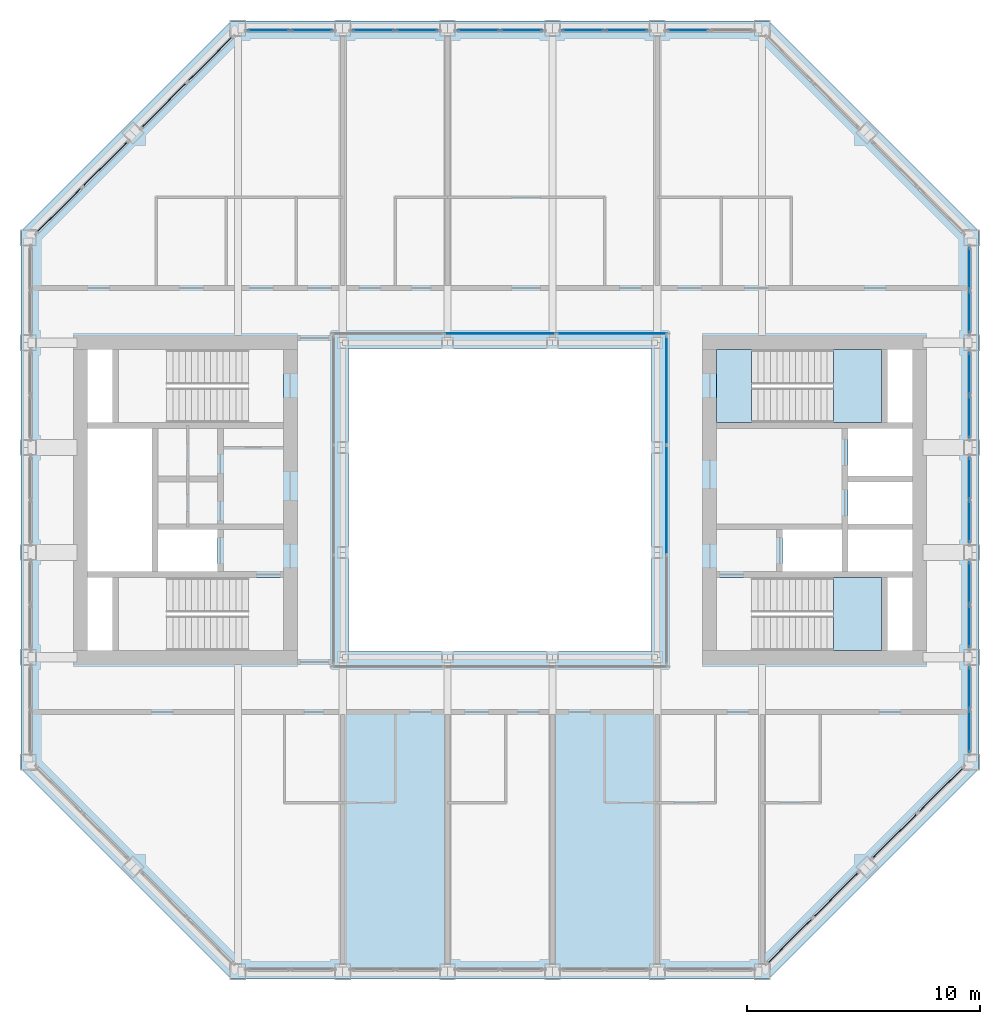
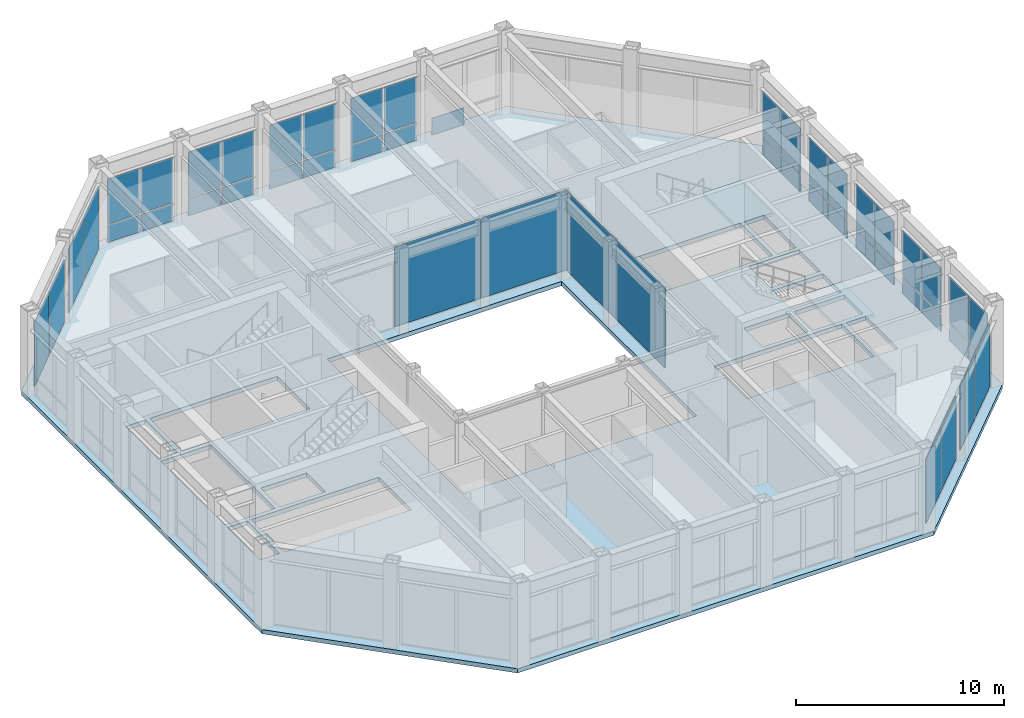
# One storey, part 10 of 15: 49 plates, 4 slabs, 18 elements without a shape of their own.
"""IFC4 building model written with IfcOpenShell, lengths in metres."""

from ifc_helpers import new_model, si_unit, direction, frame, origin, origin_2d, place, context, subcontext, project, spatial, polyline, rectangle, outline, extrude, material, layer, layer_set, type_object, element, aggregate, save


model = new_model("IFC4")

# Units and contexts
model_context = context("Model", 3, precision=1e-05, world=origin(), true_north=direction((0.0, 1.0)))
body_context = subcontext(model_context, "Body", "Model", "MODEL_VIEW")
ifc_project = project(units=[si_unit("LENGTHUNIT", "METRE"), si_unit("AREAUNIT", "SQUARE_METRE"), si_unit("VOLUMEUNIT", "CUBIC_METRE"), si_unit("PLANEANGLEUNIT", "RADIAN"), si_unit("MASSUNIT", "GRAM", prefix="KILO")], contexts=[model_context])

# Site, building, storey
site_placement = place(None, origin())
site = spatial("IfcSite", under=ifc_project, at=site_placement, CompositionType="ELEMENT")
building_placement = place(site_placement, origin())
building = spatial("IfcBuilding", under=site, at=building_placement, Name="Msasa Ring Tower", CompositionType="ELEMENT")
storey_placement = place(building_placement, frame((0.0, 0.0, 195.800048828125)))
storey = spatial("IfcBuildingStorey", under=building, at=storey_placement, Name="L51", CompositionType="ELEMENT", Elevation=195.800048828125)

# Curtain wall, plates
ifc_material_1 = material(Name="Aluminium curtain wall with clear glass", Category="aluminium")
curtain_wall_type_1 = type_object("IfcCurtainWallType", Name="CW-C CHAMFER CORNER CURTAIN WALL", PredefinedType="NOTDEFINED", material=ifc_material_1)
curtain_wall_1_placement = place(storey_placement, origin())
curtain_wall_1 = element("IfcCurtainWall", 1, at=curtain_wall_1_placement, inside=storey, type_object=curtain_wall_type_1, Name="Chamfer corner curtain wall SE L51", PredefinedType="NOTDEFINED")
ifc_material_2 = material(Name="Clear laminated insulating glass unit", Category="glass")
ifc_layer_1 = layer(ifc_material_2, 0.031982421875)
ifc_layer_set_1 = layer_set([ifc_layer_1], Name="CW-C GLASS PANEL 32")
plate_type_1 = type_object("IfcPlateType", Name="CW-C GLASS PANEL 32", PredefinedType="CURTAIN_PANEL", material=ifc_layer_set_1)
plate_1_placement = place(storey_placement, frame((12.44140625, -18.917236328125, 0.06494140625), z_axis=(0.0, 0.0, 1.0), x_axis=(0.707106781187, 0.707106781187, 0.0)))
plate_1 = element("IfcPlate", 2, at=plate_1_placement, type_object=plate_type_1, Name="CW-C panel 1.1", PredefinedType="CURTAIN_PANEL", context=body_context, shape_type="SweptSolid", body=[
    extrude(rectangle(XDim=2.7294921875, YDim=0.031982421875, at=origin_2d()), origin(), (0.0, 0.0, 1.0), 3.7490234375),
])
plate_2_placement = place(storey_placement, frame((14.417236328125, -16.94140625, 0.06494140625), z_axis=(0.0, 0.0, 1.0), x_axis=(0.707106781187, 0.707106781187, 0.0)))
plate_2 = element("IfcPlate", 3, at=plate_2_placement, type_object=plate_type_1, Name="CW-C panel 2.1", PredefinedType="CURTAIN_PANEL", context=body_context, shape_type="SweptSolid", body=[
    extrude(rectangle(XDim=2.7294921875, YDim=0.031982421875, at=origin_2d()), origin(), (0.0, 0.0, 1.0), 3.7490234375),
])
aggregate(curtain_wall_1, [plate_1, plate_2])

curtain_wall_2_placement = place(storey_placement, origin())
curtain_wall_2 = element("IfcCurtainWall", 4, at=curtain_wall_2_placement, inside=storey, type_object=curtain_wall_type_1, Name="Chamfer corner curtain wall SE L51", PredefinedType="NOTDEFINED")
plate_3_placement = place(storey_placement, frame((16.94140625, -14.417236328125, 0.06494140625), z_axis=(0.0, 0.0, 1.0), x_axis=(0.707106781187, 0.707106781187, 0.0)))
plate_3 = element("IfcPlate", 5, at=plate_3_placement, type_object=plate_type_1, Name="CW-C panel 1.1", PredefinedType="CURTAIN_PANEL", context=body_context, shape_type="SweptSolid", body=[
    extrude(rectangle(XDim=2.7294921875, YDim=0.031982421875, at=origin_2d()), origin(), (0.0, 0.0, 1.0), 3.7490234375),
])
plate_4_placement = place(storey_placement, frame((18.917236328125, -12.44140625, 0.06494140625), z_axis=(0.0, 0.0, 1.0), x_axis=(0.707106781187, 0.707106781187, 0.0)))
plate_4 = element("IfcPlate", 6, at=plate_4_placement, type_object=plate_type_1, Name="CW-C panel 2.1", PredefinedType="CURTAIN_PANEL", context=body_context, shape_type="SweptSolid", body=[
    extrude(rectangle(XDim=2.7294921875, YDim=0.031982421875, at=origin_2d()), origin(), (0.0, 0.0, 1.0), 3.7490234375),
])
aggregate(curtain_wall_2, [plate_3, plate_4])

curtain_wall_3_placement = place(storey_placement, origin())
curtain_wall_3 = element("IfcCurtainWall", 7, at=curtain_wall_3_placement, inside=storey, type_object=curtain_wall_type_1, Name="Chamfer corner curtain wall NW L51", PredefinedType="NOTDEFINED")
plate_5_placement = place(storey_placement, frame((-16.94140625, 14.417236328125, 0.06494140625), z_axis=(0.0, 0.0, 1.0), x_axis=(-0.707106781187, -0.707106781187, 0.0)))
plate_5 = element("IfcPlate", 8, at=plate_5_placement, type_object=plate_type_1, Name="CW-C panel 1.1", PredefinedType="CURTAIN_PANEL", context=body_context, shape_type="SweptSolid", body=[
    extrude(rectangle(XDim=2.7294921875, YDim=0.031982421875, at=origin_2d()), origin(), (0.0, 0.0, 1.0), 3.7490234375),
])
plate_6_placement = place(storey_placement, frame((-18.917236328125, 12.44140625, 0.06494140625), z_axis=(0.0, 0.0, 1.0), x_axis=(-0.707106781187, -0.707106781187, 0.0)))
plate_6 = element("IfcPlate", 9, at=plate_6_placement, type_object=plate_type_1, Name="CW-C panel 2.1", PredefinedType="CURTAIN_PANEL", context=body_context, shape_type="SweptSolid", body=[
    extrude(rectangle(XDim=2.7294921875, YDim=0.031982421875, at=origin_2d()), origin(), (0.0, 0.0, 1.0), 3.7490234375),
])
aggregate(curtain_wall_3, [plate_5, plate_6])

curtain_wall_4_placement = place(storey_placement, origin())
curtain_wall_4 = element("IfcCurtainWall", 10, at=curtain_wall_4_placement, inside=storey, type_object=curtain_wall_type_1, Name="Chamfer corner curtain wall NW L51", PredefinedType="NOTDEFINED")
plate_7_placement = place(storey_placement, frame((-12.44140625, 18.917236328125, 0.06494140625), z_axis=(0.0, 0.0, 1.0), x_axis=(-0.707106781187, -0.707106781187, 0.0)))
plate_7 = element("IfcPlate", 11, at=plate_7_placement, type_object=plate_type_1, Name="CW-C panel 1.1", PredefinedType="CURTAIN_PANEL", context=body_context, shape_type="SweptSolid", body=[
    extrude(rectangle(XDim=2.7294921875, YDim=0.031982421875, at=origin_2d()), origin(), (0.0, 0.0, 1.0), 3.7490234375),
])
plate_8_placement = place(storey_placement, frame((-14.417236328125, 16.94140625, 0.06494140625), z_axis=(0.0, 0.0, 1.0), x_axis=(-0.707106781187, -0.707106781187, 0.0)))
plate_8 = element("IfcPlate", 12, at=plate_8_placement, type_object=plate_type_1, Name="CW-C panel 2.1", PredefinedType="CURTAIN_PANEL", context=body_context, shape_type="SweptSolid", body=[
    extrude(rectangle(XDim=2.7294921875, YDim=0.031982421875, at=origin_2d()), origin(), (0.0, 0.0, 1.0), 3.7490234375),
])
aggregate(curtain_wall_4, [plate_7, plate_8])

ifc_material_3 = material(Name="Aluminium curtain wall with clear glass", Category="aluminium")
curtain_wall_type_2 = type_object("IfcCurtainWallType", Name="CW-S SKY LOBBY CURTAIN WALL", PredefinedType="NOTDEFINED", material=ifc_material_3)
curtain_wall_5_placement = place(storey_placement, origin())
curtain_wall_5 = element("IfcCurtainWall", 13, at=curtain_wall_5_placement, inside=storey, type_object=curtain_wall_type_2, Name="Sky lobby curtain wall E L51", PredefinedType="NOTDEFINED")
ifc_material_4 = material(Name="Clear laminated insulating glass unit", Category="glass")
ifc_layer_2 = layer(ifc_material_4, 0.035888671875)
ifc_layer_set_2 = layer_set([ifc_layer_2], Name="CW-S GLASS PANEL 36")
plate_type_2 = type_object("IfcPlateType", Name="CW-S GLASS PANEL 36", PredefinedType="CURTAIN_PANEL", material=ifc_layer_set_2)
plate_9_placement = place(storey_placement, frame((20.14990234375, -9.9287109375, 0.07470703125), z_axis=(0.0, 0.0, 1.0), x_axis=(0.0, 1.0, 0.0)))
plate_9 = element("IfcPlate", 14, at=plate_9_placement, type_object=plate_type_2, Name="CW-S panel 1.1", PredefinedType="CURTAIN_PANEL", context=body_context, shape_type="SweptSolid", body=[
    extrude(rectangle(XDim=1.782470703125, YDim=0.035888671875, at=origin_2d()), origin(), (0.0, 0.0, 1.0), 0.987548828125),
])
plate_10_placement = place(storey_placement, frame((20.14990234375, -9.9287109375, 1.137451171875), z_axis=(0.0, 0.0, 1.0), x_axis=(0.0, 1.0, 0.0)))
plate_10 = element("IfcPlate", 15, at=plate_10_placement, type_object=plate_type_2, Name="CW-S panel 1.2", PredefinedType="CURTAIN_PANEL", context=body_context, shape_type="SweptSolid", body=[
    extrude(rectangle(XDim=1.782470703125, YDim=0.035888671875, at=origin_2d()), origin(), (0.0, 0.0, 1.0), 2.66650390625),
])
plate_11_placement = place(storey_placement, frame((20.14990234375, -8.0712890625, 0.07470703125), z_axis=(0.0, 0.0, 1.0), x_axis=(0.0, 1.0, 0.0)))
plate_11 = element("IfcPlate", 16, at=plate_11_placement, type_object=plate_type_2, Name="CW-S panel 2.1", PredefinedType="CURTAIN_PANEL", context=body_context, shape_type="SweptSolid", body=[
    extrude(rectangle(XDim=1.782470703125, YDim=0.035888671875, at=origin_2d()), origin(), (0.0, 0.0, 1.0), 0.987548828125),
])
plate_12_placement = place(storey_placement, frame((20.14990234375, -8.0712890625, 1.137451171875), z_axis=(0.0, 0.0, 1.0), x_axis=(0.0, 1.0, 0.0)))
plate_12 = element("IfcPlate", 17, at=plate_12_placement, type_object=plate_type_2, Name="CW-S panel 2.2", PredefinedType="CURTAIN_PANEL", context=body_context, shape_type="SweptSolid", body=[
    extrude(rectangle(XDim=1.782470703125, YDim=0.035888671875, at=origin_2d()), origin(), (0.0, 0.0, 1.0), 2.66650390625),
])
aggregate(curtain_wall_5, [plate_9, plate_10, plate_11, plate_12])

curtain_wall_6_placement = place(storey_placement, origin())
curtain_wall_6 = element("IfcCurtainWall", 18, at=curtain_wall_6_placement, inside=storey, type_object=curtain_wall_type_2, Name="Sky lobby curtain wall E L51", PredefinedType="NOTDEFINED")
plate_13_placement = place(storey_placement, frame((20.14990234375, -5.4287109375, 0.07470703125), z_axis=(0.0, 0.0, 1.0), x_axis=(0.0, 1.0, 0.0)))
plate_13 = element("IfcPlate", 19, at=plate_13_placement, type_object=plate_type_2, Name="CW-S panel 1.1", PredefinedType="CURTAIN_PANEL", context=body_context, shape_type="SweptSolid", body=[
    extrude(rectangle(XDim=1.782470703125, YDim=0.035888671875, at=origin_2d()), origin(), (0.0, 0.0, 1.0), 0.987548828125),
])
plate_14_placement = place(storey_placement, frame((20.14990234375, -5.4287109375, 1.137451171875), z_axis=(0.0, 0.0, 1.0), x_axis=(0.0, 1.0, 0.0)))
plate_14 = element("IfcPlate", 20, at=plate_14_placement, type_object=plate_type_2, Name="CW-S panel 1.2", PredefinedType="CURTAIN_PANEL", context=body_context, shape_type="SweptSolid", body=[
    extrude(rectangle(XDim=1.782470703125, YDim=0.035888671875, at=origin_2d()), origin(), (0.0, 0.0, 1.0), 2.66650390625),
])
plate_15_placement = place(storey_placement, frame((20.14990234375, -3.5712890625, 0.07470703125), z_axis=(0.0, 0.0, 1.0), x_axis=(0.0, 1.0, 0.0)))
plate_15 = element("IfcPlate", 21, at=plate_15_placement, type_object=plate_type_2, Name="CW-S panel 2.1", PredefinedType="CURTAIN_PANEL", context=body_context, shape_type="SweptSolid", body=[
    extrude(rectangle(XDim=1.782470703125, YDim=0.035888671875, at=origin_2d()), origin(), (0.0, 0.0, 1.0), 0.987548828125),
])
plate_16_placement = place(storey_placement, frame((20.14990234375, -3.5712890625, 1.137451171875), z_axis=(0.0, 0.0, 1.0), x_axis=(0.0, 1.0, 0.0)))
plate_16 = element("IfcPlate", 22, at=plate_16_placement, type_object=plate_type_2, Name="CW-S panel 2.2", PredefinedType="CURTAIN_PANEL", context=body_context, shape_type="SweptSolid", body=[
    extrude(rectangle(XDim=1.782470703125, YDim=0.035888671875, at=origin_2d()), origin(), (0.0, 0.0, 1.0), 2.66650390625),
])
aggregate(curtain_wall_6, [plate_13, plate_14, plate_15, plate_16])

curtain_wall_7_placement = place(storey_placement, origin())
curtain_wall_7 = element("IfcCurtainWall", 23, at=curtain_wall_7_placement, inside=storey, type_object=curtain_wall_type_2, Name="Sky lobby curtain wall E L51", PredefinedType="NOTDEFINED")
plate_17_placement = place(storey_placement, frame((20.14990234375, -0.9287109375, 0.07470703125), z_axis=(0.0, 0.0, 1.0), x_axis=(0.0, 1.0, 0.0)))
plate_17 = element("IfcPlate", 24, at=plate_17_placement, type_object=plate_type_2, Name="CW-S panel 1.1", PredefinedType="CURTAIN_PANEL", context=body_context, shape_type="SweptSolid", body=[
    extrude(rectangle(XDim=1.782470703125, YDim=0.035888671875, at=origin_2d()), origin(), (0.0, 0.0, 1.0), 0.987548828125),
])
plate_18_placement = place(storey_placement, frame((20.14990234375, -0.9287109375, 1.137451171875), z_axis=(0.0, 0.0, 1.0), x_axis=(0.0, 1.0, 0.0)))
plate_18 = element("IfcPlate", 25, at=plate_18_placement, type_object=plate_type_2, Name="CW-S panel 1.2", PredefinedType="CURTAIN_PANEL", context=body_context, shape_type="SweptSolid", body=[
    extrude(rectangle(XDim=1.782470703125, YDim=0.035888671875, at=origin_2d()), origin(), (0.0, 0.0, 1.0), 2.66650390625),
])
plate_19_placement = place(storey_placement, frame((20.14990234375, 0.9287109375, 0.07470703125), z_axis=(0.0, 0.0, 1.0), x_axis=(0.0, 1.0, 0.0)))
plate_19 = element("IfcPlate", 26, at=plate_19_placement, type_object=plate_type_2, Name="CW-S panel 2.1", PredefinedType="CURTAIN_PANEL", context=body_context, shape_type="SweptSolid", body=[
    extrude(rectangle(XDim=1.782470703125, YDim=0.035888671875, at=origin_2d()), origin(), (0.0, 0.0, 1.0), 0.987548828125),
])
plate_20_placement = place(storey_placement, frame((20.14990234375, 0.9287109375, 1.137451171875), z_axis=(0.0, 0.0, 1.0), x_axis=(0.0, 1.0, 0.0)))
plate_20 = element("IfcPlate", 27, at=plate_20_placement, type_object=plate_type_2, Name="CW-S panel 2.2", PredefinedType="CURTAIN_PANEL", context=body_context, shape_type="SweptSolid", body=[
    extrude(rectangle(XDim=1.782470703125, YDim=0.035888671875, at=origin_2d()), origin(), (0.0, 0.0, 1.0), 2.66650390625),
])
aggregate(curtain_wall_7, [plate_17, plate_18, plate_19, plate_20])

curtain_wall_8_placement = place(storey_placement, origin())
curtain_wall_8 = element("IfcCurtainWall", 28, at=curtain_wall_8_placement, inside=storey, type_object=curtain_wall_type_2, Name="Sky lobby curtain wall E L51", PredefinedType="NOTDEFINED")
plate_21_placement = place(storey_placement, frame((20.14990234375, 3.5712890625, 0.07470703125), z_axis=(0.0, 0.0, 1.0), x_axis=(0.0, 1.0, 0.0)))
plate_21 = element("IfcPlate", 29, at=plate_21_placement, type_object=plate_type_2, Name="CW-S panel 1.1", PredefinedType="CURTAIN_PANEL", context=body_context, shape_type="SweptSolid", body=[
    extrude(rectangle(XDim=1.782470703125, YDim=0.035888671875, at=origin_2d()), origin(), (0.0, 0.0, 1.0), 0.987548828125),
])
plate_22_placement = place(storey_placement, frame((20.14990234375, 3.5712890625, 1.137451171875), z_axis=(0.0, 0.0, 1.0), x_axis=(0.0, 1.0, 0.0)))
plate_22 = element("IfcPlate", 30, at=plate_22_placement, type_object=plate_type_2, Name="CW-S panel 1.2", PredefinedType="CURTAIN_PANEL", context=body_context, shape_type="SweptSolid", body=[
    extrude(rectangle(XDim=1.782470703125, YDim=0.035888671875, at=origin_2d()), origin(), (0.0, 0.0, 1.0), 2.66650390625),
])
plate_23_placement = place(storey_placement, frame((20.14990234375, 5.4287109375, 0.07470703125), z_axis=(0.0, 0.0, 1.0), x_axis=(0.0, 1.0, 0.0)))
plate_23 = element("IfcPlate", 31, at=plate_23_placement, type_object=plate_type_2, Name="CW-S panel 2.1", PredefinedType="CURTAIN_PANEL", context=body_context, shape_type="SweptSolid", body=[
    extrude(rectangle(XDim=1.782470703125, YDim=0.035888671875, at=origin_2d()), origin(), (0.0, 0.0, 1.0), 0.987548828125),
])
plate_24_placement = place(storey_placement, frame((20.14990234375, 5.4287109375, 1.137451171875), z_axis=(0.0, 0.0, 1.0), x_axis=(0.0, 1.0, 0.0)))
plate_24 = element("IfcPlate", 32, at=plate_24_placement, type_object=plate_type_2, Name="CW-S panel 2.2", PredefinedType="CURTAIN_PANEL", context=body_context, shape_type="SweptSolid", body=[
    extrude(rectangle(XDim=1.782470703125, YDim=0.035888671875, at=origin_2d()), origin(), (0.0, 0.0, 1.0), 2.66650390625),
])
aggregate(curtain_wall_8, [plate_21, plate_22, plate_23, plate_24])

curtain_wall_9_placement = place(storey_placement, origin())
curtain_wall_9 = element("IfcCurtainWall", 33, at=curtain_wall_9_placement, inside=storey, type_object=curtain_wall_type_2, Name="Sky lobby curtain wall E L51", PredefinedType="NOTDEFINED")
plate_25_placement = place(storey_placement, frame((20.14990234375, 8.0712890625, 0.07470703125), z_axis=(0.0, 0.0, 1.0), x_axis=(0.0, 1.0, 0.0)))
plate_25 = element("IfcPlate", 34, at=plate_25_placement, type_object=plate_type_2, Name="CW-S panel 1.1", PredefinedType="CURTAIN_PANEL", context=body_context, shape_type="SweptSolid", body=[
    extrude(rectangle(XDim=1.782470703125, YDim=0.035888671875, at=origin_2d()), origin(), (0.0, 0.0, 1.0), 0.987548828125),
])
plate_26_placement = place(storey_placement, frame((20.14990234375, 8.0712890625, 1.137451171875), z_axis=(0.0, 0.0, 1.0), x_axis=(0.0, 1.0, 0.0)))
plate_26 = element("IfcPlate", 35, at=plate_26_placement, type_object=plate_type_2, Name="CW-S panel 1.2", PredefinedType="CURTAIN_PANEL", context=body_context, shape_type="SweptSolid", body=[
    extrude(rectangle(XDim=1.782470703125, YDim=0.035888671875, at=origin_2d()), origin(), (0.0, 0.0, 1.0), 2.66650390625),
])
plate_27_placement = place(storey_placement, frame((20.14990234375, 9.9287109375, 0.07470703125), z_axis=(0.0, 0.0, 1.0), x_axis=(0.0, 1.0, 0.0)))
plate_27 = element("IfcPlate", 36, at=plate_27_placement, type_object=plate_type_2, Name="CW-S panel 2.1", PredefinedType="CURTAIN_PANEL", context=body_context, shape_type="SweptSolid", body=[
    extrude(rectangle(XDim=1.782470703125, YDim=0.035888671875, at=origin_2d()), origin(), (0.0, 0.0, 1.0), 0.987548828125),
])
plate_28_placement = place(storey_placement, frame((20.14990234375, 9.9287109375, 1.137451171875), z_axis=(0.0, 0.0, 1.0), x_axis=(0.0, 1.0, 0.0)))
plate_28 = element("IfcPlate", 37, at=plate_28_placement, type_object=plate_type_2, Name="CW-S panel 2.2", PredefinedType="CURTAIN_PANEL", context=body_context, shape_type="SweptSolid", body=[
    extrude(rectangle(XDim=1.782470703125, YDim=0.035888671875, at=origin_2d()), origin(), (0.0, 0.0, 1.0), 2.66650390625),
])
aggregate(curtain_wall_9, [plate_25, plate_26, plate_27, plate_28])

curtain_wall_10_placement = place(storey_placement, origin())
curtain_wall_10 = element("IfcCurtainWall", 38, at=curtain_wall_10_placement, inside=storey, type_object=curtain_wall_type_2, Name="Sky lobby curtain wall N L51", PredefinedType="NOTDEFINED")
plate_29_placement = place(storey_placement, frame((-9.9287109375, 20.14990234375, 0.07470703125), z_axis=(0.0, 0.0, 1.0), x_axis=(1.0, 0.0, 0.0)))
plate_29 = element("IfcPlate", 39, at=plate_29_placement, type_object=plate_type_2, Name="CW-S panel 1.1", PredefinedType="CURTAIN_PANEL", context=body_context, shape_type="SweptSolid", body=[
    extrude(rectangle(XDim=1.782470703125, YDim=0.035888671875, at=origin_2d()), origin(), (0.0, 0.0, 1.0), 0.987548828125),
])
plate_30_placement = place(storey_placement, frame((-9.9287109375, 20.14990234375, 1.137451171875), z_axis=(0.0, 0.0, 1.0), x_axis=(1.0, 0.0, 0.0)))
plate_30 = element("IfcPlate", 40, at=plate_30_placement, type_object=plate_type_2, Name="CW-S panel 1.2", PredefinedType="CURTAIN_PANEL", context=body_context, shape_type="SweptSolid", body=[
    extrude(rectangle(XDim=1.782470703125, YDim=0.035888671875, at=origin_2d()), origin(), (0.0, 0.0, 1.0), 2.66650390625),
])
plate_31_placement = place(storey_placement, frame((-8.0712890625, 20.14990234375, 0.07470703125), z_axis=(0.0, 0.0, 1.0), x_axis=(1.0, 0.0, 0.0)))
plate_31 = element("IfcPlate", 41, at=plate_31_placement, type_object=plate_type_2, Name="CW-S panel 2.1", PredefinedType="CURTAIN_PANEL", context=body_context, shape_type="SweptSolid", body=[
    extrude(rectangle(XDim=1.782470703125, YDim=0.035888671875, at=origin_2d()), origin(), (0.0, 0.0, 1.0), 0.987548828125),
])
plate_32_placement = place(storey_placement, frame((-8.0712890625, 20.14990234375, 1.137451171875), z_axis=(0.0, 0.0, 1.0), x_axis=(1.0, 0.0, 0.0)))
plate_32 = element("IfcPlate", 42, at=plate_32_placement, type_object=plate_type_2, Name="CW-S panel 2.2", PredefinedType="CURTAIN_PANEL", context=body_context, shape_type="SweptSolid", body=[
    extrude(rectangle(XDim=1.782470703125, YDim=0.035888671875, at=origin_2d()), origin(), (0.0, 0.0, 1.0), 2.66650390625),
])
aggregate(curtain_wall_10, [plate_29, plate_30, plate_31, plate_32])

curtain_wall_11_placement = place(storey_placement, origin())
curtain_wall_11 = element("IfcCurtainWall", 43, at=curtain_wall_11_placement, inside=storey, type_object=curtain_wall_type_2, Name="Sky lobby curtain wall N L51", PredefinedType="NOTDEFINED")
plate_33_placement = place(storey_placement, frame((-5.4287109375, 20.14990234375, 0.07470703125), z_axis=(0.0, 0.0, 1.0), x_axis=(1.0, 0.0, 0.0)))
plate_33 = element("IfcPlate", 44, at=plate_33_placement, type_object=plate_type_2, Name="CW-S panel 1.1", PredefinedType="CURTAIN_PANEL", context=body_context, shape_type="SweptSolid", body=[
    extrude(rectangle(XDim=1.782470703125, YDim=0.035888671875, at=origin_2d()), origin(), (0.0, 0.0, 1.0), 0.987548828125),
])
plate_34_placement = place(storey_placement, frame((-5.4287109375, 20.14990234375, 1.137451171875), z_axis=(0.0, 0.0, 1.0), x_axis=(1.0, 0.0, 0.0)))
plate_34 = element("IfcPlate", 45, at=plate_34_placement, type_object=plate_type_2, Name="CW-S panel 1.2", PredefinedType="CURTAIN_PANEL", context=body_context, shape_type="SweptSolid", body=[
    extrude(rectangle(XDim=1.782470703125, YDim=0.035888671875, at=origin_2d()), origin(), (0.0, 0.0, 1.0), 2.66650390625),
])
plate_35_placement = place(storey_placement, frame((-3.5712890625, 20.14990234375, 0.07470703125), z_axis=(0.0, 0.0, 1.0), x_axis=(1.0, 0.0, 0.0)))
plate_35 = element("IfcPlate", 46, at=plate_35_placement, type_object=plate_type_2, Name="CW-S panel 2.1", PredefinedType="CURTAIN_PANEL", context=body_context, shape_type="SweptSolid", body=[
    extrude(rectangle(XDim=1.782470703125, YDim=0.035888671875, at=origin_2d()), origin(), (0.0, 0.0, 1.0), 0.987548828125),
])
plate_36_placement = place(storey_placement, frame((-3.5712890625, 20.14990234375, 1.137451171875), z_axis=(0.0, 0.0, 1.0), x_axis=(1.0, 0.0, 0.0)))
plate_36 = element("IfcPlate", 47, at=plate_36_placement, type_object=plate_type_2, Name="CW-S panel 2.2", PredefinedType="CURTAIN_PANEL", context=body_context, shape_type="SweptSolid", body=[
    extrude(rectangle(XDim=1.782470703125, YDim=0.035888671875, at=origin_2d()), origin(), (0.0, 0.0, 1.0), 2.66650390625),
])
aggregate(curtain_wall_11, [plate_33, plate_34, plate_35, plate_36])

curtain_wall_12_placement = place(storey_placement, origin())
curtain_wall_12 = element("IfcCurtainWall", 48, at=curtain_wall_12_placement, inside=storey, type_object=curtain_wall_type_2, Name="Sky lobby curtain wall N L51", PredefinedType="NOTDEFINED")
plate_37_placement = place(storey_placement, frame((-0.9287109375, 20.14990234375, 0.07470703125), z_axis=(0.0, 0.0, 1.0), x_axis=(1.0, 0.0, 0.0)))
plate_37 = element("IfcPlate", 49, at=plate_37_placement, type_object=plate_type_2, Name="CW-S panel 1.1", PredefinedType="CURTAIN_PANEL", context=body_context, shape_type="SweptSolid", body=[
    extrude(rectangle(XDim=1.782470703125, YDim=0.035888671875, at=origin_2d()), origin(), (0.0, 0.0, 1.0), 0.987548828125),
])
plate_38_placement = place(storey_placement, frame((-0.9287109375, 20.14990234375, 1.137451171875), z_axis=(0.0, 0.0, 1.0), x_axis=(1.0, 0.0, 0.0)))
plate_38 = element("IfcPlate", 50, at=plate_38_placement, type_object=plate_type_2, Name="CW-S panel 1.2", PredefinedType="CURTAIN_PANEL", context=body_context, shape_type="SweptSolid", body=[
    extrude(rectangle(XDim=1.782470703125, YDim=0.035888671875, at=origin_2d()), origin(), (0.0, 0.0, 1.0), 2.66650390625),
])
plate_39_placement = place(storey_placement, frame((0.9287109375, 20.14990234375, 0.07470703125), z_axis=(0.0, 0.0, 1.0), x_axis=(1.0, 0.0, 0.0)))
plate_39 = element("IfcPlate", 51, at=plate_39_placement, type_object=plate_type_2, Name="CW-S panel 2.1", PredefinedType="CURTAIN_PANEL", context=body_context, shape_type="SweptSolid", body=[
    extrude(rectangle(XDim=1.782470703125, YDim=0.035888671875, at=origin_2d()), origin(), (0.0, 0.0, 1.0), 0.987548828125),
])
plate_40_placement = place(storey_placement, frame((0.9287109375, 20.14990234375, 1.137451171875), z_axis=(0.0, 0.0, 1.0), x_axis=(1.0, 0.0, 0.0)))
plate_40 = element("IfcPlate", 52, at=plate_40_placement, type_object=plate_type_2, Name="CW-S panel 2.2", PredefinedType="CURTAIN_PANEL", context=body_context, shape_type="SweptSolid", body=[
    extrude(rectangle(XDim=1.782470703125, YDim=0.035888671875, at=origin_2d()), origin(), (0.0, 0.0, 1.0), 2.66650390625),
])
aggregate(curtain_wall_12, [plate_37, plate_38, plate_39, plate_40])

curtain_wall_13_placement = place(storey_placement, origin())
curtain_wall_13 = element("IfcCurtainWall", 53, at=curtain_wall_13_placement, inside=storey, type_object=curtain_wall_type_2, Name="Sky lobby curtain wall N L51", PredefinedType="NOTDEFINED")
plate_41_placement = place(storey_placement, frame((3.5712890625, 20.14990234375, 0.07470703125), z_axis=(0.0, 0.0, 1.0), x_axis=(1.0, 0.0, 0.0)))
plate_41 = element("IfcPlate", 54, at=plate_41_placement, type_object=plate_type_2, Name="CW-S panel 1.1", PredefinedType="CURTAIN_PANEL", context=body_context, shape_type="SweptSolid", body=[
    extrude(rectangle(XDim=1.782470703125, YDim=0.035888671875, at=origin_2d()), origin(), (0.0, 0.0, 1.0), 0.987548828125),
])
plate_42_placement = place(storey_placement, frame((3.5712890625, 20.14990234375, 1.137451171875), z_axis=(0.0, 0.0, 1.0), x_axis=(1.0, 0.0, 0.0)))
plate_42 = element("IfcPlate", 55, at=plate_42_placement, type_object=plate_type_2, Name="CW-S panel 1.2", PredefinedType="CURTAIN_PANEL", context=body_context, shape_type="SweptSolid", body=[
    extrude(rectangle(XDim=1.782470703125, YDim=0.035888671875, at=origin_2d()), origin(), (0.0, 0.0, 1.0), 2.66650390625),
])
plate_43_placement = place(storey_placement, frame((5.4287109375, 20.14990234375, 0.07470703125), z_axis=(0.0, 0.0, 1.0), x_axis=(1.0, 0.0, 0.0)))
plate_43 = element("IfcPlate", 56, at=plate_43_placement, type_object=plate_type_2, Name="CW-S panel 2.1", PredefinedType="CURTAIN_PANEL", context=body_context, shape_type="SweptSolid", body=[
    extrude(rectangle(XDim=1.782470703125, YDim=0.035888671875, at=origin_2d()), origin(), (0.0, 0.0, 1.0), 0.987548828125),
])
plate_44_placement = place(storey_placement, frame((5.4287109375, 20.14990234375, 1.137451171875), z_axis=(0.0, 0.0, 1.0), x_axis=(1.0, 0.0, 0.0)))
plate_44 = element("IfcPlate", 57, at=plate_44_placement, type_object=plate_type_2, Name="CW-S panel 2.2", PredefinedType="CURTAIN_PANEL", context=body_context, shape_type="SweptSolid", body=[
    extrude(rectangle(XDim=1.782470703125, YDim=0.035888671875, at=origin_2d()), origin(), (0.0, 0.0, 1.0), 2.66650390625),
])
aggregate(curtain_wall_13, [plate_41, plate_42, plate_43, plate_44])

# Curtain wall, plate
curtain_wall_14_placement = place(storey_placement, origin())
curtain_wall_14 = element("IfcCurtainWall", 58, at=curtain_wall_14_placement, inside=storey, type_object=curtain_wall_type_2, Name="Sky lobby curtain wall N L51", PredefinedType="NOTDEFINED")
plate_45_placement = place(storey_placement, frame((8.0712890625, 20.14990234375, 0.07470703125), z_axis=(0.0, 0.0, 1.0), x_axis=(1.0, 0.0, 0.0)))
plate_45 = element("IfcPlate", 59, at=plate_45_placement, type_object=plate_type_2, Name="CW-S panel 1.1", PredefinedType="CURTAIN_PANEL", context=body_context, shape_type="SweptSolid", body=[
    extrude(rectangle(XDim=1.782470703125, YDim=0.035888671875, at=origin_2d()), origin(), (0.0, 0.0, 1.0), 0.987548828125),
])
aggregate(curtain_wall_14, [plate_45])

# Curtain wall, plates
ifc_material_5 = material(Name="Aluminium curtain wall with clear glass", Category="aluminium")
curtain_wall_type_3 = type_object("IfcCurtainWallType", Name="CW-W LIGHT WELL CURTAIN WALL", PredefinedType="NOTDEFINED", material=ifc_material_5)
curtain_wall_15_placement = place(storey_placement, origin())
curtain_wall_15 = element("IfcCurtainWall", 60, at=curtain_wall_15_placement, inside=storey, type_object=curtain_wall_type_3, Name="Light well curtain wall N L51", PredefinedType="NOTDEFINED")
ifc_material_6 = material(Name="Clear laminated insulating glass unit", Category="glass")
ifc_layer_3 = layer(ifc_material_6, 0.028076171875)
ifc_layer_set_3 = layer_set([ifc_layer_3], Name="CW-W GLASS PANEL 28")
plate_type_3 = type_object("IfcPlateType", Name="CW-W GLASS PANEL 28", PredefinedType="CURTAIN_PANEL", material=ifc_layer_set_3)
plate_46_placement = place(storey_placement, frame((0.0, 7.14990234375, 0.06005859375), z_axis=(0.0, 0.0, 1.0), x_axis=(1.0, 0.0, 0.0)))
plate_46 = element("IfcPlate", 61, at=plate_46_placement, type_object=plate_type_3, Name="CW-W panel 2.1", PredefinedType="CURTAIN_PANEL", context=body_context, shape_type="SweptSolid", body=[
    extrude(rectangle(XDim=4.760009765625, YDim=0.028076171875, at=origin_2d()), origin(), (0.0, 0.0, 1.0), 4.679931640625),
])
plate_47_placement = place(storey_placement, frame((4.804931640625, 7.14990234375, 0.06005859375), z_axis=(0.0, 0.0, 1.0), x_axis=(1.0, 0.0, 0.0)))
plate_47 = element("IfcPlate", 62, at=plate_47_placement, type_object=plate_type_3, Name="CW-W panel 3.1", PredefinedType="CURTAIN_PANEL", context=body_context, shape_type="SweptSolid", body=[
    extrude(rectangle(XDim=4.72998046875, YDim=0.028076171875, at=origin_2d()), origin(), (0.0, 0.0, 1.0), 4.679931640625),
])
aggregate(curtain_wall_15, [plate_46, plate_47])

curtain_wall_16_placement = place(storey_placement, origin())
curtain_wall_16 = element("IfcCurtainWall", 63, at=curtain_wall_16_placement, inside=storey, type_object=curtain_wall_type_3, Name="Light well curtain wall E L51", PredefinedType="NOTDEFINED")
plate_48_placement = place(storey_placement, frame((7.14990234375, 0.0, 0.06005859375), z_axis=(0.0, 0.0, 1.0), x_axis=(0.0, 1.0, 0.0)))
plate_48 = element("IfcPlate", 64, at=plate_48_placement, type_object=plate_type_3, Name="CW-W panel 2.1", PredefinedType="CURTAIN_PANEL", context=body_context, shape_type="SweptSolid", body=[
    extrude(rectangle(XDim=4.6533203125, YDim=0.028076171875, at=origin_2d()), origin(), (0.0, 0.0, 1.0), 4.679931640625),
])
plate_49_placement = place(storey_placement, frame((7.14990234375, 4.6982421875, 0.06005859375), z_axis=(0.0, 0.0, 1.0), x_axis=(0.0, 1.0, 0.0)))
plate_49 = element("IfcPlate", 65, at=plate_49_placement, type_object=plate_type_3, Name="CW-W panel 3.1", PredefinedType="CURTAIN_PANEL", context=body_context, shape_type="SweptSolid", body=[
    extrude(rectangle(XDim=4.623291015625, YDim=0.028076171875, at=origin_2d()), origin(), (0.0, 0.0, 1.0), 4.679931640625),
])
aggregate(curtain_wall_16, [plate_48, plate_49])

# Stair, slab
ifc_material_7 = material(Name="Concrete C40/50", Category="concrete")
stair_type = type_object("IfcStairType", Name="STC CORE STAIR 28 RISERS 178.6", PredefinedType="HALF_TURN_STAIR", material=ifc_material_7)
stair_1_placement = place(storey_placement, origin())
stair_1 = element("IfcStair", 66, at=stair_1_placement, inside=storey, type_object=stair_type, Name="Core stair SEA L51", PredefinedType="HALF_TURN_STAIR")
ifc_material_8 = material(Name="Concrete C40/50", Category="concrete")
ifc_layer_4 = layer(ifc_material_8, 0.199951171875)
ifc_layer_set_4 = layer_set([ifc_layer_4], Name="LD1 CORE STAIR LANDING 200")
slab_type_1 = type_object("IfcSlabType", Name="LD1 CORE STAIR LANDING 200", PredefinedType="LANDING", material=ifc_layer_set_4)
slab_1_placement = place(storey_placement, frame((0.0, 0.0, 2.300048828125)))
slab_1 = element("IfcSlab", 67, at=slab_1_placement, type_object=slab_type_1, Name="SEA landing 2", PredefinedType="LANDING", context=body_context, shape_type="SweptSolid", body=[
    extrude(outline(polyline([(14.31005859375, -6.449951171875), (16.375, -6.449951171875), (16.375, -3.324951171875), (14.31005859375, -3.324951171875), (14.31005859375, -6.449951171875)])), origin(), (0.0, 0.0, 1.0), 0.199951171875),
])
aggregate(stair_1, [slab_1])

# Stair, slabs
stair_2_placement = place(storey_placement, origin())
stair_2 = element("IfcStair", 68, at=stair_2_placement, inside=storey, type_object=stair_type, Name="Core stair SEB L51", PredefinedType="HALF_TURN_STAIR")
slab_2_placement = place(storey_placement, frame((0.0, 0.0, -0.199951171875)))
slab_2 = element("IfcSlab", 69, at=slab_2_placement, type_object=slab_type_1, Name="SEB landing 1", PredefinedType="LANDING", context=body_context, shape_type="SweptSolid", body=[
    extrude(outline(polyline([(9.300048828125, 3.324951171875), (10.800048828125, 3.324951171875), (10.800048828125, 6.449951171875), (9.300048828125, 6.449951171875), (9.300048828125, 3.324951171875)])), origin(), (0.0, 0.0, 1.0), 0.199951171875),
])
slab_3_placement = place(storey_placement, frame((0.0, 0.0, 2.300048828125)))
slab_3 = element("IfcSlab", 70, at=slab_3_placement, type_object=slab_type_1, Name="SEB landing 2", PredefinedType="LANDING", context=body_context, shape_type="SweptSolid", body=[
    extrude(outline(polyline([(14.31005859375, 3.324951171875), (16.375, 3.324951171875), (16.375, 6.449951171875), (14.31005859375, 6.449951171875), (14.31005859375, 3.324951171875)])), origin(), (0.0, 0.0, 1.0), 0.199951171875),
])
aggregate(stair_2, [slab_2, slab_3])

# Slab
ifc_material_9 = material(Name="Concrete C40/50", Category="concrete")
ifc_layer_5 = layer(ifc_material_9, 0.25)
ifc_layer_set_5 = layer_set([ifc_layer_5], Name="S7 CLUB FLOOR 250")
slab_type_2 = type_object("IfcSlabType", Name="S7 CLUB FLOOR 250", PredefinedType="FLOOR", material=ifc_layer_set_5)
slab_4_placement = place(storey_placement, frame((0.0, 0.0, -0.25)))
element("IfcSlab", 71, at=slab_4_placement, inside=storey, type_object=slab_type_2, Name="Floor slab L51", PredefinedType="FLOOR", context=body_context, shape_type="SweptSolid", body=[
    extrude(outline(polyline([(-11.550048828125, -20.550048828125), (11.550048828125, -20.550048828125), (20.550048828125, -11.550048828125), (20.550048828125, 11.550048828125), (11.550048828125, 20.550048828125), (-11.550048828125, 20.550048828125), (-20.550048828125, 11.550048828125), (-20.550048828125, -11.550048828125), (-11.550048828125, -20.550048828125)]), holes=[polyline([(-6.5, -6.5), (6.5, -6.5), (6.5, 6.5), (-6.5, 6.5), (-6.5, -6.5)]), polyline([(9.300048828125, -6.449951171875), (16.375, -6.449951171875), (16.375, -3.324951171875), (9.300048828125, -3.324951171875), (9.300048828125, -6.449951171875)]), polyline([(9.300048828125, 3.324951171875), (16.375, 3.324951171875), (16.375, 6.449951171875), (9.300048828125, 6.449951171875), (9.300048828125, 3.324951171875)]), polyline([(12.125, -3.074951171875), (14.675048828125, -3.074951171875), (14.675048828125, -1.27490234375), (12.125, -1.27490234375), (12.125, -3.074951171875)]), polyline([(16.625, -6.449951171875), (17.699951171875, -6.449951171875), (17.699951171875, -3.324951171875), (16.625, -3.324951171875), (16.625, -6.449951171875)]), polyline([(16.625, 3.324951171875), (17.699951171875, 3.324951171875), (17.699951171875, 6.449951171875), (16.625, 6.449951171875), (16.625, 3.324951171875)]), polyline([(14.925048828125, -3.074951171875), (17.699951171875, -3.074951171875), (17.699951171875, -1.27490234375), (14.925048828125, -1.27490234375), (14.925048828125, -3.074951171875)]), polyline([(14.925048828125, -1.02490234375), (17.699951171875, -1.02490234375), (17.699951171875, 0.77490234375), (14.925048828125, 0.77490234375), (14.925048828125, -1.02490234375)]), polyline([(14.925048828125, 1.02490234375), (17.699951171875, 1.02490234375), (17.699951171875, 3.074951171875), (14.925048828125, 3.074951171875), (14.925048828125, 1.02490234375)]), polyline([(-16.375, -6.449951171875), (-9.300048828125, -6.449951171875), (-9.300048828125, -3.324951171875), (-16.375, -3.324951171875), (-16.375, -6.449951171875)]), polyline([(-16.375, 3.324951171875), (-9.300048828125, 3.324951171875), (-9.300048828125, 6.449951171875), (-16.375, 6.449951171875), (-16.375, 3.324951171875)]), polyline([(-14.675048828125, -3.074951171875), (-12.125, -3.074951171875), (-12.125, -1.27490234375), (-14.675048828125, -1.27490234375), (-14.675048828125, -3.074951171875)]), polyline([(-17.699951171875, -6.449951171875), (-16.625, -6.449951171875), (-16.625, -3.324951171875), (-17.699951171875, -3.324951171875), (-17.699951171875, -6.449951171875)]), polyline([(-17.699951171875, 3.324951171875), (-16.625, 3.324951171875), (-16.625, 6.449951171875), (-17.699951171875, 6.449951171875), (-17.699951171875, 3.324951171875)]), polyline([(-17.699951171875, -3.074951171875), (-14.925048828125, -3.074951171875), (-14.925048828125, 3.074951171875), (-17.699951171875, 3.074951171875), (-17.699951171875, -3.074951171875)])]), origin(), (0.0, 0.0, 1.0), 0.25),
])

save(model, "model.ifc")
